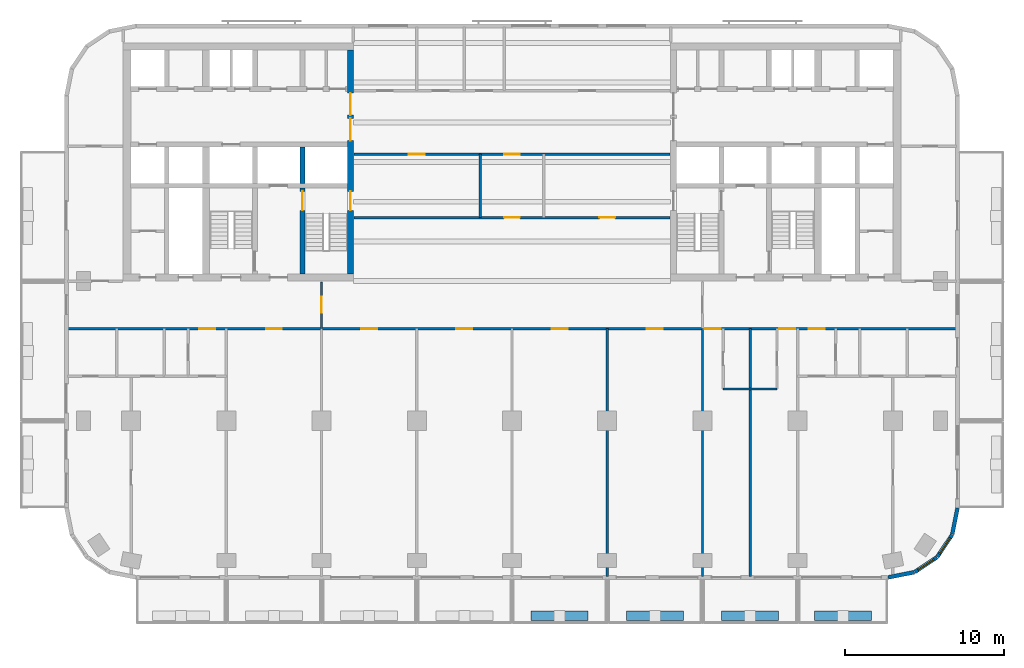
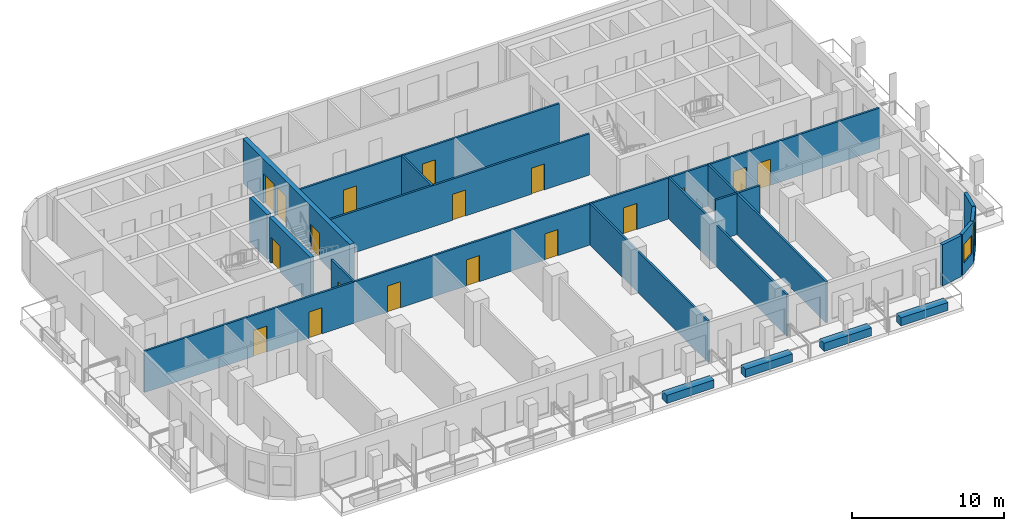
# One storey, part 4 of 12: 20 walls, 18 doors, 2 windows, 20 openings.
"""IFC4 building model written with IfcOpenShell, lengths in metres."""

from ifc_helpers import new_model, si_unit, direction, frame, frame_2d, origin, place, context, subcontext, project, spatial, rectangle, extrude, material, layer, layer_set, type_object, element, fill, save


model = new_model("IFC4")

# Units and contexts
model_context = context("Model", 3, precision=1e-05, world=origin(), true_north=direction((0.0, 1.0)))
body_context = subcontext(model_context, "Body", "Model", "MODEL_VIEW")
ifc_project = project(units=[si_unit("LENGTHUNIT", "METRE"), si_unit("AREAUNIT", "SQUARE_METRE"), si_unit("VOLUMEUNIT", "CUBIC_METRE"), si_unit("PLANEANGLEUNIT", "RADIAN"), si_unit("MASSUNIT", "GRAM", prefix="KILO")], contexts=[model_context])

# Site, building, storey
site_placement = place(None, origin())
site = spatial("IfcSite", under=ifc_project, at=site_placement, CompositionType="ELEMENT")
building_placement = place(site_placement, origin())
building = spatial("IfcBuilding", under=site, at=building_placement, Name="Torana Hotel and Residences", CompositionType="ELEMENT")
storey_placement = place(building_placement, frame((0.0, 0.0, 156.0)))
storey = spatial("IfcBuildingStorey", under=building, at=storey_placement, Name="L40", CompositionType="ELEMENT", Elevation=156.0)

# Wall
ifc_material_1 = material(Name="Concrete C70/85", Category="concrete")
ifc_layer_1 = layer(ifc_material_1, 0.300048828125)
ifc_layer_set_1 = layer_set([ifc_layer_1], Name="CORE WALL 300 C70/85")
wall_type_1 = type_object("IfcWallType", Name="CORE WALL 300 C70/85", PredefinedType="SHEAR", material=ifc_layer_set_1)
wall_1_placement = place(storey_placement, frame((-13.199951171875, -8.85009765625, 0.0), z_axis=(0.0, 0.0, 1.0), x_axis=(0.0, 1.0, 0.0)))
element("IfcWall", 1, at=wall_1_placement, inside=storey, type_object=wall_type_1, Name="Core wall W x3.05-S", PredefinedType="SHEAR", context=body_context, shape_type="SweptSolid", body=[
    extrude(rectangle(XDim=2.300048828125, YDim=0.300048828125, at=frame_2d((1.14990234375, 0.0))), origin(), (0.0, 0.0, 1.0), 3.60009765625),
])

# Wall, opening, door
wall_2_placement = place(storey_placement, frame((-13.199951171875, -14.550048828125, 0.0), z_axis=(0.0, 0.0, 1.0), x_axis=(0.0, 1.0, 0.0)))
wall_2 = element("IfcWall", 2, at=wall_2_placement, inside=storey, type_object=wall_type_1, Name="Core wall W x3.05-band", PredefinedType="SHEAR", context=body_context, shape_type="SweptSolid", body=[
    extrude(rectangle(XDim=5.400146484375, YDim=0.300048828125, at=frame_2d((2.7001953125, 0.0))), origin(), (0.0, 0.0, 1.0), 3.60009765625),
])
opening_1_placement = place(wall_2_placement, frame((4.0, 0.0, 0.0)))
opening_1 = element("IfcOpeningElement", 3, at=opening_1_placement, cuts=wall_2, Name="Opening L40-14", PredefinedType="OPENING", context=body_context, shape_type="SweptSolid", body=[
    extrude(rectangle(XDim=1.199951171875, YDim=2.10009765625, at=frame_2d((0.60009765625, 1.050048828125))), frame((0.0, 0.159912109375, 0.0), z_axis=(0.0, -1.0, 0.0), x_axis=(1.0, 0.0, 0.0)), (0.0, 0.0, 1.0), 0.320068359375),
])
ifc_material_2 = material(Name="Steel S235", Category="steel")
door_type_1 = type_object("IfcDoorType", Name="STAIR FIRE DOOR D3 1200x2100", OperationType="SINGLE_SWING_LEFT", PredefinedType="DOOR", material=ifc_material_2)
door_1_placement = place(opening_1_placement, frame((0.60009765625, 0.0, 0.0), z_axis=(0.0, 0.0, 1.0), x_axis=(-1.0, 0.0, 0.0)))
door_1 = element("IfcDoor", 4, at=door_1_placement, inside=storey, type_object=door_type_1, Name="Stair-A-lobby door L40", OperationType="SINGLE_SWING_RIGHT", OverallHeight=2.10009765625, OverallWidth=1.199951171875, PredefinedType="DOOR", context=body_context, shape_type="SweptSolid", body=[
    extrude(rectangle(XDim=1.199951171875, YDim=2.10009765625, at=frame_2d((0.0, 1.050048828125))), frame((0.0, -0.02490234375, 0.0), z_axis=(0.0, 1.0, 0.0), x_axis=(-1.0, 0.0, 0.0)), (0.0, 0.0, 1.0), 0.050048828125),
])
fill(opening_1, door_1)

# Wall, openings, doors
ifc_material_3 = material(Name="Concrete C70/85", Category="concrete")
ifc_layer_2 = layer(ifc_material_3, 0.35009765625)
ifc_layer_set_2 = layer_set([ifc_layer_2], Name="CORE WALL 350 C70/85")
wall_type_2 = type_object("IfcWallType", Name="CORE WALL 350 C70/85", PredefinedType="SHEAR", material=ifc_layer_set_2)
wall_3_placement = place(storey_placement, frame((-10.175048828125, -14.550048828125, 0.0), z_axis=(0.0, 0.0, 1.0), x_axis=(0.0, 1.0, 0.0)))
wall_3 = element("IfcWall", 5, at=wall_3_placement, inside=storey, type_object=wall_type_2, Name="Core wall W arch", PredefinedType="SHEAR", context=body_context, shape_type="SweptSolid", body=[
    extrude(rectangle(XDim=14.10009765625, YDim=0.35009765625, at=frame_2d((7.050048828125, 0.0))), origin(), (0.0, 0.0, 1.0), 3.60009765625),
])
opening_2_placement = place(wall_3_placement, frame((8.39990234375, 0.0, 0.0)))
opening_2 = element("IfcOpeningElement", 6, at=opening_2_placement, cuts=wall_3, Name="Opening L40-01", PredefinedType="OPENING", context=body_context, shape_type="SweptSolid", body=[
    extrude(rectangle(XDim=1.39990234375, YDim=2.39990234375, at=frame_2d((0.699951171875, 1.199951171875))), frame((0.0, 0.18505859375, 0.0), z_axis=(0.0, -1.0, 0.0), x_axis=(1.0, 0.0, 0.0)), (0.0, 0.0, 1.0), 0.3701171875),
])
opening_3_placement = place(wall_3_placement, frame((10.0, 0.0, 0.0)))
opening_3 = element("IfcOpeningElement", 7, at=opening_3_placement, cuts=wall_3, Name="Opening L40-02", PredefinedType="OPENING", context=body_context, shape_type="SweptSolid", body=[
    extrude(rectangle(XDim=1.39990234375, YDim=2.39990234375, at=frame_2d((0.699951171875, 1.199951171875))), frame((0.0, 0.18505859375, 0.0), z_axis=(0.0, -1.0, 0.0), x_axis=(1.0, 0.0, 0.0)), (0.0, 0.0, 1.0), 0.3701171875),
])
opening_4_placement = place(wall_3_placement, frame((4.0, 0.0, 0.0)))
opening_4 = element("IfcOpeningElement", 8, at=opening_4_placement, cuts=wall_3, Name="Opening L40-03", PredefinedType="OPENING", context=body_context, shape_type="SweptSolid", body=[
    extrude(rectangle(XDim=1.199951171875, YDim=2.10009765625, at=frame_2d((0.60009765625, 1.050048828125))), frame((0.0, 0.18505859375, 0.0), z_axis=(0.0, -1.0, 0.0), x_axis=(1.0, 0.0, 0.0)), (0.0, 0.0, 1.0), 0.3701171875),
])
ifc_material_4 = material(Name="Steel S235", Category="steel")
door_type_2 = type_object("IfcDoorType", Name="LOBBY FIRE DOOR D4 1400x2400", OperationType="DOUBLE_DOOR_SINGLE_SWING", PredefinedType="DOOR", material=ifc_material_4)
door_2_placement = place(opening_2_placement, origin())
door_2 = element("IfcDoor", 9, at=door_2_placement, inside=storey, type_object=door_type_2, Name="Lobby-1 door L40", OperationType="DOUBLE_DOOR_SINGLE_SWING", OverallHeight=2.39990234375, OverallWidth=1.39990234375, PredefinedType="DOOR", context=body_context, shape_type="SweptSolid", body=[
    extrude(rectangle(XDim=1.39990234375, YDim=2.39990234375, at=frame_2d((0.699951171875, 1.199951171875))), frame((0.0, 0.02490234375, 0.0), z_axis=(0.0, -1.0, 0.0), x_axis=(1.0, 0.0, 0.0)), (0.0, 0.0, 1.0), 0.050048828125),
])
fill(opening_2, door_2)
door_3_placement = place(opening_3_placement, origin())
door_3 = element("IfcDoor", 10, at=door_3_placement, inside=storey, type_object=door_type_2, Name="Lobby-2 door L40", OperationType="DOUBLE_DOOR_SINGLE_SWING", OverallHeight=2.39990234375, OverallWidth=1.39990234375, PredefinedType="DOOR", context=body_context, shape_type="SweptSolid", body=[
    extrude(rectangle(XDim=1.39990234375, YDim=2.39990234375, at=frame_2d((0.699951171875, 1.199951171875))), frame((0.0, 0.02490234375, 0.0), z_axis=(0.0, -1.0, 0.0), x_axis=(1.0, 0.0, 0.0)), (0.0, 0.0, 1.0), 0.050048828125),
])
fill(opening_3, door_3)
door_4_placement = place(opening_4_placement, origin())
door_4 = element("IfcDoor", 11, at=door_4_placement, inside=storey, type_object=door_type_1, Name="Stair-A door L40", OperationType="SINGLE_SWING_LEFT", OverallHeight=2.10009765625, OverallWidth=1.199951171875, PredefinedType="DOOR", context=body_context, shape_type="SweptSolid", body=[
    extrude(rectangle(XDim=1.199951171875, YDim=2.10009765625, at=frame_2d((0.60009765625, 1.050048828125))), frame((0.0, 0.02490234375, 0.0), z_axis=(0.0, -1.0, 0.0), x_axis=(1.0, 0.0, 0.0)), (0.0, 0.0, 1.0), 0.050048828125),
])
fill(opening_4, door_4)

# Wall
ifc_material_5 = material(Name="Black aluminium composite panel", Category="aluminium")
ifc_layer_3 = layer(ifc_material_5, 0.00390625, Name="Cladding", Category="cladding")
ifc_material_6 = material(Name="Ventilated air cavity")
ifc_layer_4 = layer(ifc_material_6, 0.0400390625, Name="Ventilated cavity", Category="cavity")
ifc_material_7 = material(Name="Mineral wool insulation")
ifc_layer_5 = layer(ifc_material_7, 0.090087890625, Name="Insulation", Category="insulation")
ifc_material_8 = material(Name="Steel S280GD", Category="steel")
ifc_layer_6 = layer(ifc_material_8, 0.092041015625, Name="Steel stud frame", Category="structure")
ifc_material_9 = material(Name="Fire rated plasterboard")
ifc_layer_7 = layer(ifc_material_9, 0.011962890625, Name="Inner board", Category="finish")
ifc_layer_8 = layer(ifc_material_9, 0.011962890625, Name="Second board", Category="finish")
ifc_layer_set_3 = layer_set([ifc_layer_3, ifc_layer_4, ifc_layer_5, ifc_layer_6, ifc_layer_7, ifc_layer_8], Name="EW1 EXTERNAL WALL BLACK METAL CLAD 250")
wall_type_3 = type_object("IfcWallType", Name="EW1 EXTERNAL WALL BLACK METAL CLAD 250", PredefinedType="SOLIDWALL", material=ifc_layer_set_3)
wall_4_placement = place(storey_placement, frame((23.69970703125, -33.672607421875, 0.0), z_axis=(0.0, 0.0, 1.0), x_axis=(0.980775640221, 0.19513878023, 0.0)))
element("IfcWall", 12, at=wall_4_placement, inside=storey, type_object=wall_type_3, Name="External wall L40 e0.15", PredefinedType="SOLIDWALL", context=body_context, shape_type="SweptSolid", body=[
    extrude(rectangle(XDim=1.681396484375, YDim=0.25, at=frame_2d((0.8408203125, 0.0))), origin(), (0.0, 0.0, 1.0), 3.320068359375),
])

# Wall, opening, window
wall_5_placement = place(storey_placement, frame((25.39404296875, -33.325927734375, 0.0), z_axis=(0.0, 0.0, 1.0), x_axis=(0.831482937015, 0.55555029066, 0.0)))
wall_5 = element("IfcWall", 13, at=wall_5_placement, inside=storey, type_object=wall_type_3, Name="External wall L40 e0.16", PredefinedType="SOLIDWALL", context=body_context, shape_type="SweptSolid", body=[
    extrude(rectangle(XDim=1.65625, YDim=0.25, at=frame_2d((0.828125, 0.0))), origin(), (0.0, 0.0, 1.0), 3.320068359375),
])
opening_5_placement = place(wall_5_placement, frame((0.228271484375, 0.0, 0.89990234375)))
opening_5 = element("IfcOpeningElement", 14, at=opening_5_placement, cuts=wall_5, Name="Opening W5", PredefinedType="OPENING", context=body_context, shape_type="SweptSolid", body=[
    extrude(rectangle(XDim=1.199951171875, YDim=1.5, at=frame_2d((0.60009765625, 0.75))), frame((0.0, 0.135009765625, 0.0), z_axis=(0.0, -1.0, 0.0), x_axis=(1.0, 0.0, 0.0)), (0.0, 0.0, 1.0), 0.27001953125),
])
ifc_material_10 = material(Name="Dark glass in black aluminium frame", Category="aluminium")
window_type = type_object("IfcWindowType", Name="W5 CORNER FACET WINDOW 1200x1500", PartitioningType="SINGLE_PANEL", PredefinedType="WINDOW", material=ifc_material_10)
window_1_placement = place(opening_5_placement, origin())
window_1 = element("IfcWindow", 15, at=window_1_placement, inside=storey, type_object=window_type, Name="Window L40 e0.16", OverallHeight=1.5, OverallWidth=1.199951171875, PartitioningType="SINGLE_PANEL", PredefinedType="WINDOW", context=body_context, shape_type="SweptSolid", body=[
    extrude(rectangle(XDim=1.199951171875, YDim=1.5, at=frame_2d((0.60009765625, 0.75))), frame((0.0, 0.030029296875, 0.0), z_axis=(0.0, -1.0, 0.0), x_axis=(1.0, 0.0, 0.0)), (0.0, 0.0, 1.0), 0.06005859375),
])
fill(opening_5, window_1)

wall_6_placement = place(storey_placement, frame((26.8056640625, -32.37109375, 0.0), z_axis=(0.0, 0.0, 1.0), x_axis=(0.55555029066, 0.831482937015, 0.0)))
wall_6 = element("IfcWall", 16, at=wall_6_placement, inside=storey, type_object=wall_type_3, Name="External wall L40 e0.17", PredefinedType="SOLIDWALL", context=body_context, shape_type="SweptSolid", body=[
    extrude(rectangle(XDim=1.65625, YDim=0.25, at=frame_2d((0.828125, 0.0))), origin(), (0.0, 0.0, 1.0), 3.320068359375),
])
opening_6_placement = place(wall_6_placement, frame((0.228271484375, 0.0, 0.89990234375)))
opening_6 = element("IfcOpeningElement", 17, at=opening_6_placement, cuts=wall_6, Name="Opening W5", PredefinedType="OPENING", context=body_context, shape_type="SweptSolid", body=[
    extrude(rectangle(XDim=1.199951171875, YDim=1.5, at=frame_2d((0.60009765625, 0.75))), frame((0.0, 0.135009765625, 0.0), z_axis=(0.0, -1.0, 0.0), x_axis=(1.0, 0.0, 0.0)), (0.0, 0.0, 1.0), 0.27001953125),
])
window_2_placement = place(opening_6_placement, origin())
window_2 = element("IfcWindow", 18, at=window_2_placement, inside=storey, type_object=window_type, Name="Window L40 e0.17", OverallHeight=1.5, OverallWidth=1.199951171875, PartitioningType="SINGLE_PANEL", PredefinedType="WINDOW", context=body_context, shape_type="SweptSolid", body=[
    extrude(rectangle(XDim=1.199951171875, YDim=1.5, at=frame_2d((0.60009765625, 0.75))), frame((0.0, 0.030029296875, 0.0), z_axis=(0.0, -1.0, 0.0), x_axis=(1.0, 0.0, 0.0)), (0.0, 0.0, 1.0), 0.06005859375),
])
fill(opening_6, window_2)

# Walls
wall_7_placement = place(storey_placement, frame((27.74462890625, -30.948974609375, 0.0), z_axis=(0.0, 0.0, 1.0), x_axis=(0.194999110559, 0.980803419081, 0.0)))
element("IfcWall", 19, at=wall_7_placement, inside=storey, type_object=wall_type_3, Name="External wall L40 e0.18", PredefinedType="SOLIDWALL", context=body_context, shape_type="SweptSolid", body=[
    extrude(rectangle(XDim=1.681396484375, YDim=0.25, at=frame_2d((0.8408203125, 0.0))), origin(), (0.0, 0.0, 1.0), 3.320068359375),
])
ifc_material_11 = material(Name="Gypsum plaster")
ifc_layer_9 = layer(ifc_material_11, 0.014892578125, Name="Plaster", Category="finish")
ifc_material_12 = material(Name="Concrete blockwork", Category="masonry")
ifc_layer_10 = layer(ifc_material_12, 0.1201171875, Name="Blockwork", Category="structure")
ifc_layer_11 = layer(ifc_material_11, 0.014892578125, Name="Plaster", Category="finish")
ifc_layer_set_4 = layer_set([ifc_layer_9, ifc_layer_10, ifc_layer_11], Name="FIRE PARTITION 150 BLOCKWORK")
wall_type_4 = type_object("IfcWallType", Name="FIRE PARTITION 150 BLOCKWORK", PredefinedType="PARTITIONING", material=ifc_layer_set_4)
wall_8_placement = place(storey_placement, frame((-2.0, -11.0, 0.0), z_axis=(0.0, 0.0, 1.0), x_axis=(0.0, 1.0, 0.0)))
element("IfcWall", 20, at=wall_8_placement, inside=storey, type_object=wall_type_4, Name="Partition L40", PredefinedType="PARTITIONING", context=body_context, shape_type="SweptSolid", body=[
    extrude(rectangle(XDim=4.0, YDim=0.14990234375, at=frame_2d((2.0, 0.0))), origin(), (0.0, 0.0, 1.0), 3.320068359375),
])

# Wall, opening, door
wall_9_placement = place(storey_placement, frame((-12.0, -18.0, 0.0), z_axis=(0.0, 0.0, 1.0), x_axis=(0.0, 1.0, 0.0)))
wall_9 = element("IfcWall", 21, at=wall_9_placement, inside=storey, type_object=wall_type_4, Name="Partition L40", PredefinedType="PARTITIONING", context=body_context, shape_type="SweptSolid", body=[
    extrude(rectangle(XDim=2.949951171875, YDim=0.14990234375, at=frame_2d((1.47509765625, 0.0))), origin(), (0.0, 0.0, 1.0), 3.320068359375),
])
opening_7_placement = place(wall_9_placement, frame((1.0, 0.0, 0.0)))
opening_7 = element("IfcOpeningElement", 22, at=opening_7_placement, cuts=wall_9, Name="Opening L40-33", PredefinedType="OPENING", context=body_context, shape_type="SweptSolid", body=[
    extrude(rectangle(XDim=1.0, YDim=2.10009765625, at=frame_2d((0.5, 1.050048828125))), frame((0.0, 0.0849609375, 0.0), z_axis=(0.0, -1.0, 0.0), x_axis=(1.0, 0.0, 0.0)), (0.0, 0.0, 1.0), 0.169921875),
])
ifc_material_13 = material(Name="Steel S235", Category="steel")
door_type_3 = type_object("IfcDoorType", Name="ENTRY FIRE DOOR D6 1000x2100", OperationType="SINGLE_SWING_LEFT", PredefinedType="DOOR", material=ifc_material_13)
door_5_placement = place(opening_7_placement, origin())
door_5 = element("IfcDoor", 23, at=door_5_placement, inside=storey, type_object=door_type_3, Name="Door L40", OperationType="SINGLE_SWING_RIGHT", OverallHeight=2.10009765625, OverallWidth=1.0, PredefinedType="DOOR", context=body_context, shape_type="SweptSolid", body=[
    extrude(rectangle(XDim=1.0, YDim=2.10009765625, at=frame_2d((0.5, 1.050048828125))), frame((0.0, 0.02490234375, 0.0), z_axis=(0.0, -1.0, 0.0), x_axis=(1.0, 0.0, 0.0)), (0.0, 0.0, 1.0), 0.050048828125),
])
fill(opening_7, door_5)

# Wall, openings, doors
wall_10_placement = place(storey_placement, frame((-28.02001953125, -18.0, 0.0), z_axis=(0.0, 0.0, 1.0), x_axis=(1.0, 0.0, 0.0)))
wall_10 = element("IfcWall", 24, at=wall_10_placement, inside=storey, type_object=wall_type_4, Name="Partition L40", PredefinedType="PARTITIONING", context=body_context, shape_type="SweptSolid", body=[
    extrude(rectangle(XDim=56.0400390625, YDim=0.14990234375, at=frame_2d((28.02001953125, 0.0))), origin(), (0.0, 0.0, 1.0), 3.320068359375),
])
opening_8_placement = place(wall_10_placement, frame((12.52001953125, 0.0, 0.0)))
opening_8 = element("IfcOpeningElement", 25, at=opening_8_placement, cuts=wall_10, Name="Opening L40-34", PredefinedType="OPENING", context=body_context, shape_type="SweptSolid", body=[
    extrude(rectangle(XDim=1.0, YDim=2.10009765625, at=frame_2d((0.5, 1.050048828125))), frame((0.0, 0.0849609375, 0.0), z_axis=(0.0, -1.0, 0.0), x_axis=(1.0, 0.0, 0.0)), (0.0, 0.0, 1.0), 0.169921875),
])
opening_9_placement = place(wall_10_placement, frame((8.320068359375, 0.0, 0.0)))
opening_9 = element("IfcOpeningElement", 26, at=opening_9_placement, cuts=wall_10, Name="Opening L40-35", PredefinedType="OPENING", context=body_context, shape_type="SweptSolid", body=[
    extrude(rectangle(XDim=1.0, YDim=2.10009765625, at=frame_2d((0.5, 1.050048828125))), frame((0.0, 0.0849609375, 0.0), z_axis=(0.0, -1.0, 0.0), x_axis=(1.0, 0.0, 0.0)), (0.0, 0.0, 1.0), 0.169921875),
])
opening_10_placement = place(wall_10_placement, frame((40.169921875, 0.0, 0.0)))
opening_10 = element("IfcOpeningElement", 27, at=opening_10_placement, cuts=wall_10, Name="Opening L40-38", PredefinedType="OPENING", context=body_context, shape_type="SweptSolid", body=[
    extrude(rectangle(XDim=1.0, YDim=2.10009765625, at=frame_2d((0.5, 1.050048828125))), frame((0.0, 0.0849609375, 0.0), z_axis=(0.0, -1.0, 0.0), x_axis=(1.0, 0.0, 0.0)), (0.0, 0.0, 1.0), 0.169921875),
])
opening_11_placement = place(wall_10_placement, frame((44.8701171875, 0.0, 0.0)))
opening_11 = element("IfcOpeningElement", 28, at=opening_11_placement, cuts=wall_10, Name="Opening L40-39", PredefinedType="OPENING", context=body_context, shape_type="SweptSolid", body=[
    extrude(rectangle(XDim=1.0, YDim=2.10009765625, at=frame_2d((0.5, 1.050048828125))), frame((0.0, 0.0849609375, 0.0), z_axis=(0.0, -1.0, 0.0), x_axis=(1.0, 0.0, 0.0)), (0.0, 0.0, 1.0), 0.169921875),
])
opening_12_placement = place(wall_10_placement, frame((46.719970703125, 0.0, 0.0)))
opening_12 = element("IfcOpeningElement", 29, at=opening_12_placement, cuts=wall_10, Name="Opening L40-40", PredefinedType="OPENING", context=body_context, shape_type="SweptSolid", body=[
    extrude(rectangle(XDim=1.0, YDim=2.10009765625, at=frame_2d((0.5, 1.050048828125))), frame((0.0, 0.0849609375, 0.0), z_axis=(0.0, -1.0, 0.0), x_axis=(1.0, 0.0, 0.0)), (0.0, 0.0, 1.0), 0.169921875),
])
opening_13_placement = place(wall_10_placement, frame((18.52001953125, 0.0, 0.0)))
opening_13 = element("IfcOpeningElement", 30, at=opening_13_placement, cuts=wall_10, Name="Opening L40-43", PredefinedType="OPENING", context=body_context, shape_type="SweptSolid", body=[
    extrude(rectangle(XDim=1.0, YDim=2.10009765625, at=frame_2d((0.5, 1.050048828125))), frame((0.0, 0.0849609375, 0.0), z_axis=(0.0, -1.0, 0.0), x_axis=(1.0, 0.0, 0.0)), (0.0, 0.0, 1.0), 0.169921875),
])
opening_14_placement = place(wall_10_placement, frame((24.52001953125, 0.0, 0.0)))
opening_14 = element("IfcOpeningElement", 31, at=opening_14_placement, cuts=wall_10, Name="Opening L40-44", PredefinedType="OPENING", context=body_context, shape_type="SweptSolid", body=[
    extrude(rectangle(XDim=1.0, YDim=2.10009765625, at=frame_2d((0.5, 1.050048828125))), frame((0.0, 0.0849609375, 0.0), z_axis=(0.0, -1.0, 0.0), x_axis=(1.0, 0.0, 0.0)), (0.0, 0.0, 1.0), 0.169921875),
])
opening_15_placement = place(wall_10_placement, frame((30.52001953125, 0.0, 0.0)))
opening_15 = element("IfcOpeningElement", 32, at=opening_15_placement, cuts=wall_10, Name="Opening L40-45", PredefinedType="OPENING", context=body_context, shape_type="SweptSolid", body=[
    extrude(rectangle(XDim=1.0, YDim=2.10009765625, at=frame_2d((0.5, 1.050048828125))), frame((0.0, 0.0849609375, 0.0), z_axis=(0.0, -1.0, 0.0), x_axis=(1.0, 0.0, 0.0)), (0.0, 0.0, 1.0), 0.169921875),
])
opening_16_placement = place(wall_10_placement, frame((36.52001953125, 0.0, 0.0)))
opening_16 = element("IfcOpeningElement", 33, at=opening_16_placement, cuts=wall_10, Name="Opening L40-46", PredefinedType="OPENING", context=body_context, shape_type="SweptSolid", body=[
    extrude(rectangle(XDim=1.0, YDim=2.10009765625, at=frame_2d((0.5, 1.050048828125))), frame((0.0, 0.0849609375, 0.0), z_axis=(0.0, -1.0, 0.0), x_axis=(1.0, 0.0, 0.0)), (0.0, 0.0, 1.0), 0.169921875),
])
door_6_placement = place(opening_8_placement, frame((0.5, 0.0, 0.0), z_axis=(0.0, 0.0, 1.0), x_axis=(-1.0, 0.0, 0.0)))
door_6 = element("IfcDoor", 34, at=door_6_placement, inside=storey, type_object=door_type_3, Name="Door L40", OperationType="SINGLE_SWING_LEFT", OverallHeight=2.10009765625, OverallWidth=1.0, PredefinedType="DOOR", context=body_context, shape_type="SweptSolid", body=[
    extrude(rectangle(XDim=1.0, YDim=2.10009765625, at=frame_2d((0.0, 1.050048828125))), frame((0.0, -0.02490234375, 0.0), z_axis=(0.0, 1.0, 0.0), x_axis=(-1.0, 0.0, 0.0)), (0.0, 0.0, 1.0), 0.050048828125),
])
fill(opening_8, door_6)
door_7_placement = place(opening_9_placement, origin())
door_7 = element("IfcDoor", 35, at=door_7_placement, inside=storey, type_object=door_type_3, Name="Door L40", OperationType="SINGLE_SWING_RIGHT", OverallHeight=2.10009765625, OverallWidth=1.0, PredefinedType="DOOR", context=body_context, shape_type="SweptSolid", body=[
    extrude(rectangle(XDim=1.0, YDim=2.10009765625, at=frame_2d((0.5, 1.050048828125))), frame((0.0, 0.02490234375, 0.0), z_axis=(0.0, -1.0, 0.0), x_axis=(1.0, 0.0, 0.0)), (0.0, 0.0, 1.0), 0.050048828125),
])
fill(opening_9, door_7)
door_8_placement = place(opening_10_placement, frame((0.5, 0.0, 0.0), z_axis=(0.0, 0.0, 1.0), x_axis=(-1.0, 0.0, 0.0)))
door_8 = element("IfcDoor", 36, at=door_8_placement, inside=storey, type_object=door_type_3, Name="Door L40", OperationType="SINGLE_SWING_LEFT", OverallHeight=2.10009765625, OverallWidth=1.0, PredefinedType="DOOR", context=body_context, shape_type="SweptSolid", body=[
    extrude(rectangle(XDim=1.0, YDim=2.10009765625, at=frame_2d((0.0, 1.050048828125))), frame((0.0, -0.02490234375, 0.0), z_axis=(0.0, 1.0, 0.0), x_axis=(-1.0, 0.0, 0.0)), (0.0, 0.0, 1.0), 0.050048828125),
])
fill(opening_10, door_8)
door_9_placement = place(opening_11_placement, frame((0.5, 0.0, 0.0), z_axis=(0.0, 0.0, 1.0), x_axis=(-1.0, 0.0, 0.0)))
door_9 = element("IfcDoor", 37, at=door_9_placement, inside=storey, type_object=door_type_3, Name="Door L40", OperationType="SINGLE_SWING_LEFT", OverallHeight=2.10009765625, OverallWidth=1.0, PredefinedType="DOOR", context=body_context, shape_type="SweptSolid", body=[
    extrude(rectangle(XDim=1.0, YDim=2.10009765625, at=frame_2d((0.0, 1.050048828125))), frame((0.0, -0.02490234375, 0.0), z_axis=(0.0, 1.0, 0.0), x_axis=(-1.0, 0.0, 0.0)), (0.0, 0.0, 1.0), 0.050048828125),
])
fill(opening_11, door_9)
door_10_placement = place(opening_12_placement, origin())
door_10 = element("IfcDoor", 38, at=door_10_placement, inside=storey, type_object=door_type_3, Name="Door L40", OperationType="SINGLE_SWING_RIGHT", OverallHeight=2.10009765625, OverallWidth=1.0, PredefinedType="DOOR", context=body_context, shape_type="SweptSolid", body=[
    extrude(rectangle(XDim=1.0, YDim=2.10009765625, at=frame_2d((0.5, 1.050048828125))), frame((0.0, 0.02490234375, 0.0), z_axis=(0.0, -1.0, 0.0), x_axis=(1.0, 0.0, 0.0)), (0.0, 0.0, 1.0), 0.050048828125),
])
fill(opening_12, door_10)
door_11_placement = place(opening_13_placement, frame((0.5, 0.0, 0.0), z_axis=(0.0, 0.0, 1.0), x_axis=(-1.0, 0.0, 0.0)))
door_11 = element("IfcDoor", 39, at=door_11_placement, inside=storey, type_object=door_type_3, Name="Door L40", OperationType="SINGLE_SWING_LEFT", OverallHeight=2.10009765625, OverallWidth=1.0, PredefinedType="DOOR", context=body_context, shape_type="SweptSolid", body=[
    extrude(rectangle(XDim=1.0, YDim=2.10009765625, at=frame_2d((0.0, 1.050048828125))), frame((0.0, -0.02490234375, 0.0), z_axis=(0.0, 1.0, 0.0), x_axis=(-1.0, 0.0, 0.0)), (0.0, 0.0, 1.0), 0.050048828125),
])
fill(opening_13, door_11)
door_12_placement = place(opening_14_placement, frame((0.5, 0.0, 0.0), z_axis=(0.0, 0.0, 1.0), x_axis=(-1.0, 0.0, 0.0)))
door_12 = element("IfcDoor", 40, at=door_12_placement, inside=storey, type_object=door_type_3, Name="Door L40", OperationType="SINGLE_SWING_LEFT", OverallHeight=2.10009765625, OverallWidth=1.0, PredefinedType="DOOR", context=body_context, shape_type="SweptSolid", body=[
    extrude(rectangle(XDim=1.0, YDim=2.10009765625, at=frame_2d((0.0, 1.050048828125))), frame((0.0, -0.02490234375, 0.0), z_axis=(0.0, 1.0, 0.0), x_axis=(-1.0, 0.0, 0.0)), (0.0, 0.0, 1.0), 0.050048828125),
])
fill(opening_14, door_12)
door_13_placement = place(opening_15_placement, frame((0.5, 0.0, 0.0), z_axis=(0.0, 0.0, 1.0), x_axis=(-1.0, 0.0, 0.0)))
door_13 = element("IfcDoor", 41, at=door_13_placement, inside=storey, type_object=door_type_3, Name="Door L40", OperationType="SINGLE_SWING_LEFT", OverallHeight=2.10009765625, OverallWidth=1.0, PredefinedType="DOOR", context=body_context, shape_type="SweptSolid", body=[
    extrude(rectangle(XDim=1.0, YDim=2.10009765625, at=frame_2d((0.0, 1.050048828125))), frame((0.0, -0.02490234375, 0.0), z_axis=(0.0, 1.0, 0.0), x_axis=(-1.0, 0.0, 0.0)), (0.0, 0.0, 1.0), 0.050048828125),
])
fill(opening_15, door_13)
door_14_placement = place(opening_16_placement, frame((0.5, 0.0, 0.0), z_axis=(0.0, 0.0, 1.0), x_axis=(-1.0, 0.0, 0.0)))
door_14 = element("IfcDoor", 42, at=door_14_placement, inside=storey, type_object=door_type_3, Name="Door L40", OperationType="SINGLE_SWING_LEFT", OverallHeight=2.10009765625, OverallWidth=1.0, PredefinedType="DOOR", context=body_context, shape_type="SweptSolid", body=[
    extrude(rectangle(XDim=1.0, YDim=2.10009765625, at=frame_2d((0.0, 1.050048828125))), frame((0.0, -0.02490234375, 0.0), z_axis=(0.0, 1.0, 0.0), x_axis=(-1.0, 0.0, 0.0)), (0.0, 0.0, 1.0), 0.050048828125),
])
fill(opening_16, door_14)

wall_11_placement = place(storey_placement, frame((-9.949951171875, -11.0, 0.0), z_axis=(0.0, 0.0, 1.0), x_axis=(1.0, 0.0, 0.0)))
wall_11 = element("IfcWall", 43, at=wall_11_placement, inside=storey, type_object=wall_type_4, Name="Partition L40", PredefinedType="PARTITIONING", context=body_context, shape_type="SweptSolid", body=[
    extrude(rectangle(XDim=19.89990234375, YDim=0.14990234375, at=frame_2d((9.949951171875, 0.0))), origin(), (0.0, 0.0, 1.0), 3.320068359375),
])
opening_17_placement = place(wall_11_placement, frame((9.449951171875, 0.0, 0.0)))
opening_17 = element("IfcOpeningElement", 44, at=opening_17_placement, cuts=wall_11, Name="Opening L40-42", PredefinedType="OPENING", context=body_context, shape_type="SweptSolid", body=[
    extrude(rectangle(XDim=1.0, YDim=2.10009765625, at=frame_2d((0.5, 1.050048828125))), frame((0.0, 0.0849609375, 0.0), z_axis=(0.0, -1.0, 0.0), x_axis=(1.0, 0.0, 0.0)), (0.0, 0.0, 1.0), 0.169921875),
])
opening_18_placement = place(wall_11_placement, frame((15.449951171875, 0.0, 0.0)))
opening_18 = element("IfcOpeningElement", 45, at=opening_18_placement, cuts=wall_11, Name="Opening L40-47", PredefinedType="OPENING", context=body_context, shape_type="SweptSolid", body=[
    extrude(rectangle(XDim=1.0, YDim=2.10009765625, at=frame_2d((0.5, 1.050048828125))), frame((0.0, 0.0849609375, 0.0), z_axis=(0.0, -1.0, 0.0), x_axis=(1.0, 0.0, 0.0)), (0.0, 0.0, 1.0), 0.169921875),
])
door_15_placement = place(opening_17_placement, origin())
door_15 = element("IfcDoor", 46, at=door_15_placement, inside=storey, type_object=door_type_3, Name="Door L40", OperationType="SINGLE_SWING_RIGHT", OverallHeight=2.10009765625, OverallWidth=1.0, PredefinedType="DOOR", context=body_context, shape_type="SweptSolid", body=[
    extrude(rectangle(XDim=1.0, YDim=2.10009765625, at=frame_2d((0.5, 1.050048828125))), frame((0.0, 0.02490234375, 0.0), z_axis=(0.0, -1.0, 0.0), x_axis=(1.0, 0.0, 0.0)), (0.0, 0.0, 1.0), 0.050048828125),
])
fill(opening_17, door_15)
door_16_placement = place(opening_18_placement, origin())
door_16 = element("IfcDoor", 47, at=door_16_placement, inside=storey, type_object=door_type_3, Name="Door L40", OperationType="SINGLE_SWING_RIGHT", OverallHeight=2.10009765625, OverallWidth=1.0, PredefinedType="DOOR", context=body_context, shape_type="SweptSolid", body=[
    extrude(rectangle(XDim=1.0, YDim=2.10009765625, at=frame_2d((0.5, 1.050048828125))), frame((0.0, 0.02490234375, 0.0), z_axis=(0.0, -1.0, 0.0), x_axis=(1.0, 0.0, 0.0)), (0.0, 0.0, 1.0), 0.050048828125),
])
fill(opening_18, door_16)

wall_12_placement = place(storey_placement, frame((-9.949951171875, -7.0, 0.0), z_axis=(0.0, 0.0, 1.0), x_axis=(1.0, 0.0, 0.0)))
wall_12 = element("IfcWall", 48, at=wall_12_placement, inside=storey, type_object=wall_type_4, Name="Partition L40", PredefinedType="PARTITIONING", context=body_context, shape_type="SweptSolid", body=[
    extrude(rectangle(XDim=19.89990234375, YDim=0.14990234375, at=frame_2d((9.949951171875, 0.0))), origin(), (0.0, 0.0, 1.0), 3.320068359375),
])
opening_19_placement = place(wall_12_placement, frame((9.449951171875, 0.0, 0.0)))
opening_19 = element("IfcOpeningElement", 49, at=opening_19_placement, cuts=wall_12, Name="Opening L40-48", PredefinedType="OPENING", context=body_context, shape_type="SweptSolid", body=[
    extrude(rectangle(XDim=1.0, YDim=2.10009765625, at=frame_2d((0.5, 1.050048828125))), frame((0.0, 0.0849609375, 0.0), z_axis=(0.0, -1.0, 0.0), x_axis=(1.0, 0.0, 0.0)), (0.0, 0.0, 1.0), 0.169921875),
])
opening_20_placement = place(wall_12_placement, frame((3.449951171875, 0.0, 0.0)))
opening_20 = element("IfcOpeningElement", 50, at=opening_20_placement, cuts=wall_12, Name="Opening L40-49", PredefinedType="OPENING", context=body_context, shape_type="SweptSolid", body=[
    extrude(rectangle(XDim=1.0, YDim=2.10009765625, at=frame_2d((0.5, 1.050048828125))), frame((0.0, 0.0849609375, 0.0), z_axis=(0.0, -1.0, 0.0), x_axis=(1.0, 0.0, 0.0)), (0.0, 0.0, 1.0), 0.169921875),
])
door_17_placement = place(opening_19_placement, origin())
door_17 = element("IfcDoor", 51, at=door_17_placement, inside=storey, type_object=door_type_3, Name="Door L40", OperationType="SINGLE_SWING_RIGHT", OverallHeight=2.10009765625, OverallWidth=1.0, PredefinedType="DOOR", context=body_context, shape_type="SweptSolid", body=[
    extrude(rectangle(XDim=1.0, YDim=2.10009765625, at=frame_2d((0.5, 1.050048828125))), frame((0.0, 0.02490234375, 0.0), z_axis=(0.0, -1.0, 0.0), x_axis=(1.0, 0.0, 0.0)), (0.0, 0.0, 1.0), 0.050048828125),
])
fill(opening_19, door_17)
door_18_placement = place(opening_20_placement, frame((0.5, 0.0, 0.0), z_axis=(0.0, 0.0, 1.0), x_axis=(-1.0, 0.0, 0.0)))
door_18 = element("IfcDoor", 52, at=door_18_placement, inside=storey, type_object=door_type_3, Name="Door L40", OperationType="SINGLE_SWING_LEFT", OverallHeight=2.10009765625, OverallWidth=1.0, PredefinedType="DOOR", context=body_context, shape_type="SweptSolid", body=[
    extrude(rectangle(XDim=1.0, YDim=2.10009765625, at=frame_2d((0.0, 1.050048828125))), frame((0.0, -0.02490234375, 0.0), z_axis=(0.0, 1.0, 0.0), x_axis=(-1.0, 0.0, 0.0)), (0.0, 0.0, 1.0), 0.050048828125),
])
fill(opening_20, door_18)

# Walls
ifc_material_14 = material(Name="Gypsum plasterboard")
ifc_layer_12 = layer(ifc_material_14, 0.012451171875, Name="Plasterboard", Category="finish")
ifc_layer_13 = layer(ifc_material_14, 0.012451171875, Name="Plasterboard", Category="finish")
ifc_layer_14 = layer(ifc_material_8, 0.10009765625, Name="Steel studs with mineral wool", Category="insulation")
ifc_layer_15 = layer(ifc_material_14, 0.012451171875, Name="Plasterboard", Category="finish")
ifc_layer_16 = layer(ifc_material_14, 0.012451171875, Name="Plasterboard", Category="finish")
ifc_layer_set_5 = layer_set([ifc_layer_12, ifc_layer_13, ifc_layer_14, ifc_layer_15, ifc_layer_16], Name="PARTITION 150 PLASTERBOARD")
wall_type_5 = type_object("IfcWallType", Name="PARTITION 150 PLASTERBOARD", PredefinedType="PARTITIONING", material=ifc_layer_set_5)
for number, where, z_axis, x_axis, name in (
    (53, (15.0, -33.6201171875, 0.0), (0.0, 0.0, 1.0), (0.0, 1.0, 0.0), "Partition L40"),
    (54, (12.0, -33.6201171875, 0.0), (0.0, 0.0, 1.0), (0.0, 1.0, 0.0), "Partition L40"),
    (55, (6.0, -33.6201171875, 0.0), (0.0, 0.0, 1.0), (0.0, 1.0, 0.0), "Partition L40"),
):
    element("IfcWall", number, at=place(storey_placement, frame(where, z_axis=z_axis, x_axis=x_axis)), inside=storey, type_object=wall_type_5, Name=name, PredefinedType="PARTITIONING", context=body_context, shape_type="SweptSolid", body=[
        extrude(rectangle(XDim=15.6201171875, YDim=0.14990234375, at=frame_2d((7.81005859375, 0.0))), origin(), (0.0, 0.0, 1.0), 3.320068359375),
    ])
wall_13_placement = place(storey_placement, frame((13.300048828125, -21.800048828125, 0.0), z_axis=(0.0, 0.0, 1.0), x_axis=(1.0, 0.0, 0.0)))
element("IfcWall", 56, at=wall_13_placement, inside=storey, type_object=wall_type_5, Name="Partition L40", PredefinedType="PARTITIONING", context=body_context, shape_type="SweptSolid", body=[
    extrude(rectangle(XDim=3.39990234375, YDim=0.14990234375, at=frame_2d((1.699951171875, 0.0))), origin(), (0.0, 0.0, 1.0), 3.320068359375),
])
ifc_material_15 = material(Name="Concrete C40/50 precast", Category="concrete")
ifc_layer_17 = layer(ifc_material_15, 0.10009765625, Name="Planter shell", Category="structure")
ifc_material_16 = material(Name="Root resistant membrane")
ifc_layer_18 = layer(ifc_material_16, 0.00390625, Name="Waterproofing membrane", Category="membrane")
ifc_material_17 = material(Name="Drainage board with filter fleece")
ifc_layer_19 = layer(ifc_material_17, 0.02001953125, Name="Drainage board", Category="drainage")
ifc_material_18 = material(Name="Growing medium")
ifc_layer_20 = layer(ifc_material_18, 0.47607421875, Name="Planting substrate", Category="soil")
ifc_layer_set_6 = layer_set([ifc_layer_17, ifc_layer_18, ifc_layer_19, ifc_layer_20], Name="PL1 BALCONY PLANTER 600")
wall_type_6 = type_object("IfcWallType", Name="PL1 BALCONY PLANTER 600", PredefinedType="USERDEFINED", material=ifc_layer_set_6)
for number, where, z_axis, x_axis, name in (
    (57, (4.800048828125, -36.10009765625, 0.0), (0.0, 0.0, 1.0), (-1.0, 0.0, 0.0), "Planter 05"),
    (58, (10.800048828125, -36.10009765625, 0.0), (0.0, 0.0, 1.0), (-1.0, 0.0, 0.0), "Planter 06"),
    (59, (16.800048828125, -36.10009765625, 0.0), (0.0, 0.0, 1.0), (-1.0, 0.0, 0.0), "Planter 07"),
):
    element("IfcWall", number, at=place(storey_placement, frame(where, z_axis=z_axis, x_axis=x_axis)), inside=storey, type_object=wall_type_6, Name=name, ObjectType="PLANTER", PredefinedType="USERDEFINED", context=body_context, shape_type="SweptSolid", body=[
        extrude(rectangle(XDim=3.60009765625, YDim=0.60009765625, at=frame_2d((1.800048828125, 0.0))), origin(), (0.0, 0.0, 1.0), 0.64990234375),
    ])
wall_14_placement = place(storey_placement, frame((22.64990234375, -36.10009765625, 0.0), z_axis=(0.0, 0.0, 1.0), x_axis=(-1.0, 0.0, 0.0)))
element("IfcWall", 60, at=wall_14_placement, inside=storey, type_object=wall_type_6, Name="Planter 08", ObjectType="PLANTER", PredefinedType="USERDEFINED", context=body_context, shape_type="SweptSolid", body=[
    extrude(rectangle(XDim=3.599853515625, YDim=0.60009765625, at=frame_2d((1.7998046875, 0.0))), origin(), (0.0, 0.0, 1.0), 0.64990234375),
])

save(model, "model.ifc")
